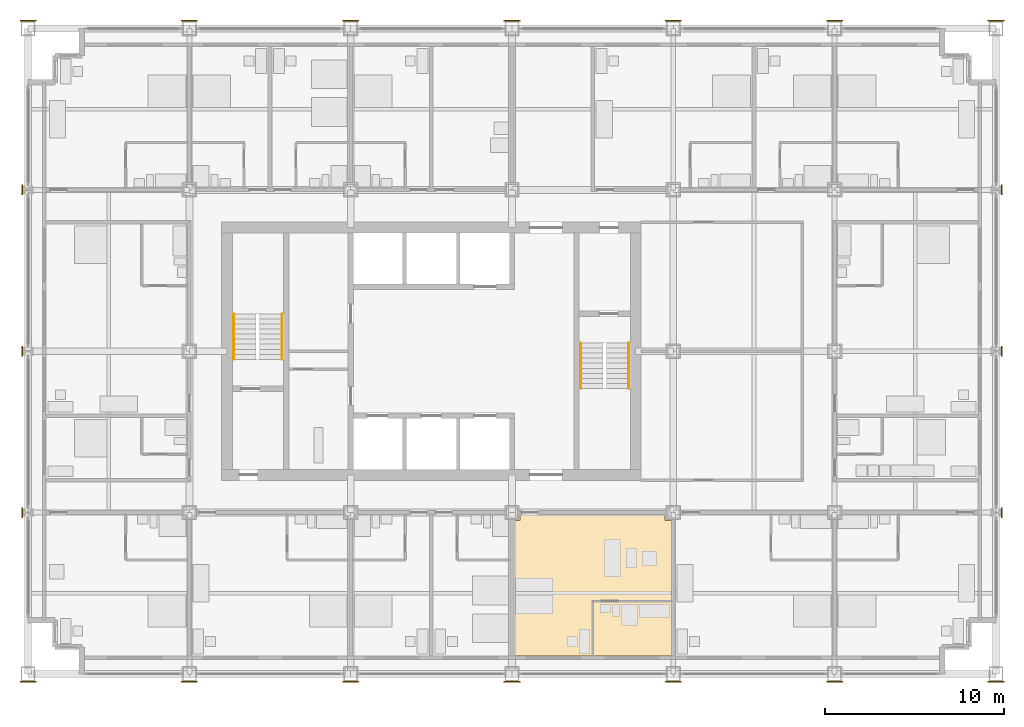
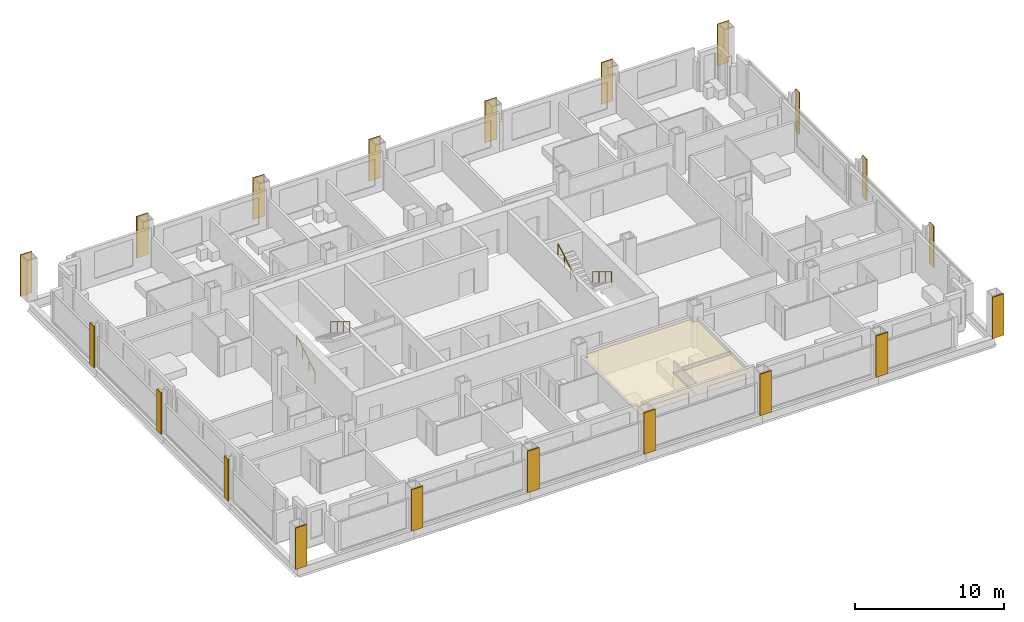
# One storey, part 16 of 18: 22 coverings, 4 railings.
"""IFC4 building model written with IfcOpenShell, lengths in metres."""

from ifc_helpers import new_model, si_unit, direction, frame, origin, origin_2d, place, context, subcontext, project, spatial, polyline, rectangle, circle, outline, extrude, material, layer, layer_set, type_object, element, save


model = new_model("IFC4")

# Units and contexts
model_context = context("Model", 3, precision=1e-05, world=origin(), true_north=direction((0.0, 1.0)))
body_context = subcontext(model_context, "Body", "Model", "MODEL_VIEW")
ifc_project = project(units=[si_unit("LENGTHUNIT", "METRE"), si_unit("AREAUNIT", "SQUARE_METRE"), si_unit("VOLUMEUNIT", "CUBIC_METRE"), si_unit("PLANEANGLEUNIT", "RADIAN"), si_unit("MASSUNIT", "GRAM", prefix="KILO")], contexts=[model_context])

# Site, building, storey
site_placement = place(None, origin())
site = spatial("IfcSite", under=ifc_project, at=site_placement, CompositionType="ELEMENT")
building_placement = place(site_placement, origin())
building = spatial("IfcBuilding", under=site, at=building_placement, Name="Loomwork Tower", CompositionType="ELEMENT")
storey_placement = place(building_placement, frame((0.0, 0.0, 68.800048828125)))
storey = spatial("IfcBuildingStorey", under=building, at=storey_placement, Name="L17", CompositionType="ELEMENT", Elevation=68.800048828125)

# Railings
ifc_material_1 = material(Name="Stainless steel handrail", Category="steel")
railing_type = type_object("IfcRailingType", Name="Handrail 900", PredefinedType="HANDRAIL", material=ifc_material_1)
railing_1_placement = place(storey_placement, frame((11.485107421875, 17.550048828125, 0.169921875)))
element("IfcRailing", 1, at=railing_1_placement, inside=storey, type_object=railing_type, Name="Stair A handrail flight 1 L17", PredefinedType="HANDRAIL", context=body_context, shape_type="SweptSolid", body=[
    extrude(circle(Radius=0.02392578125, at=origin_2d()), frame((0.0, 0.0, 0.8759765625), z_axis=(0.0, 0.85478489116, 0.518982456201), x_axis=(-1.0, 0.0, 0.0)), (0.0, 0.0, 1.0), 2.9482421875),
    extrude(circle(Radius=0.02099609375, at=origin_2d()), origin(), (0.0, 0.0, 1.0), 0.851806640625),
    extrude(circle(Radius=0.02099609375, at=origin_2d()), frame((0.0, 0.840087890625, 0.510009765625)), (0.0, 0.0, 1.0), 0.851806640625),
    extrude(circle(Radius=0.02099609375, at=origin_2d()), frame((0.0, 1.679931640625, 1.02001953125)), (0.0, 0.0, 1.0), 0.851806640625),
    extrude(circle(Radius=0.02099609375, at=origin_2d()), frame((0.0, 2.52001953125, 1.530029296875)), (0.0, 0.0, 1.0), 0.851806640625),
])
for number, where, name in (
    (2, (14.1650390625, 20.070068359375, 1.869873046875), "Stair A handrail flight 2 L17"),
    (3, (33.514892578125, 18.449951171875, 0.169921875), "Stair B handrail flight 1 L17"),
):
    element("IfcRailing", number, at=place(storey_placement, frame(where)), inside=storey, type_object=railing_type, Name=name, PredefinedType="HANDRAIL", context=body_context, shape_type="SweptSolid", body=[
        extrude(circle(Radius=0.02392578125, at=origin_2d()), frame((0.0, 0.0, 0.8759765625), z_axis=(0.0, -0.85478489116, 0.518982456201), x_axis=(1.0, 0.0, 0.0)), (0.0, 0.0, 1.0), 2.9482421875),
        extrude(circle(Radius=0.02099609375, at=origin_2d()), origin(), (0.0, 0.0, 1.0), 0.851806640625),
        extrude(circle(Radius=0.02099609375, at=origin_2d()), frame((0.0, -0.840087890625, 0.510009765625)), (0.0, 0.0, 1.0), 0.851806640625),
        extrude(circle(Radius=0.02099609375, at=origin_2d()), frame((0.0, -1.679931640625, 1.02001953125)), (0.0, 0.0, 1.0), 0.851806640625),
        extrude(circle(Radius=0.02099609375, at=origin_2d()), frame((0.0, -2.52001953125, 1.530029296875)), (0.0, 0.0, 1.0), 0.851806640625),
    ])
railing_2_placement = place(storey_placement, frame((30.8349609375, 15.929931640625, 1.869873046875)))
element("IfcRailing", 4, at=railing_2_placement, inside=storey, type_object=railing_type, Name="Stair B handrail flight 2 L17", PredefinedType="HANDRAIL", context=body_context, shape_type="SweptSolid", body=[
    extrude(circle(Radius=0.02392578125, at=origin_2d()), frame((0.0, 0.0, 0.8759765625), z_axis=(0.0, 0.85478489116, 0.518982456201), x_axis=(-1.0, 0.0, 0.0)), (0.0, 0.0, 1.0), 2.9482421875),
    extrude(circle(Radius=0.02099609375, at=origin_2d()), origin(), (0.0, 0.0, 1.0), 0.851806640625),
    extrude(circle(Radius=0.02099609375, at=origin_2d()), frame((0.0, 0.840087890625, 0.510009765625)), (0.0, 0.0, 1.0), 0.851806640625),
    extrude(circle(Radius=0.02099609375, at=origin_2d()), frame((0.0, 1.679931640625, 1.02001953125)), (0.0, 0.0, 1.0), 0.851806640625),
    extrude(circle(Radius=0.02099609375, at=origin_2d()), frame((0.0, 2.52001953125, 1.530029296875)), (0.0, 0.0, 1.0), 0.851806640625),
])

# Coverings
ifc_material_2 = material(Name="Limestone", Category="masonry")
ifc_layer_1 = layer(ifc_material_2, 0.080078125)
ifc_layer_set_1 = layer_set([ifc_layer_1], Name="Limestone pier facing 80")
covering_type_1 = type_object("IfcCoveringType", Name="Limestone pier facing 80", PredefinedType="CLADDING", material=ifc_layer_set_1)
covering_1_placement = place(storey_placement, frame((0.0, -0.43994140625, 0.0), z_axis=(0.0, 0.0, 1.0), x_axis=(1.0, 0.0, 0.0)))
element("IfcCovering", 5, at=covering_1_placement, inside=storey, type_object=covering_type_1, Name="Pier facing D/2 L17", PredefinedType="CLADDING", context=body_context, shape_type="SweptSolid", body=[
    extrude(rectangle(XDim=0.89990234375, YDim=0.080078125, at=origin_2d()), origin(), (0.0, 0.0, 1.0), 3.39990234375),
])
for number, where, z_axis, x_axis, name in (
    (6, (-0.324462890625, 9.0, 0.0), (0.0, 0.0, 1.0), (1.0, 0.0, 0.0), "Pier facing E/2 L17"),
    (7, (-0.324462890625, 18.0, 0.0), (0.0, 0.0, 1.0), (1.0, 0.0, 0.0), "Pier facing F/2 L17"),
    (8, (-0.324462890625, 27.0, 0.0), (0.0, 0.0, 1.0), (1.0, 0.0, 0.0), "Pier facing G/2 L17"),
):
    element("IfcCovering", number, at=place(storey_placement, frame(where, z_axis=z_axis, x_axis=x_axis)), inside=storey, type_object=covering_type_1, Name=name, PredefinedType="CLADDING", context=body_context, shape_type="SweptSolid", body=[
        extrude(rectangle(XDim=0.080078125, YDim=0.5546875, at=origin_2d()), origin(), (0.0, 0.0, 1.0), 3.39990234375),
    ])
for number, where, z_axis, x_axis, name in (
    (9, (0.0, 36.43994140625, 0.0), (0.0, 0.0, 1.0), (1.0, 0.0, 0.0), "Pier facing H/2 L17"),
    (10, (9.0, -0.43994140625, 0.0), (0.0, 0.0, 1.0), (1.0, 0.0, 0.0), "Pier facing D/3 L17"),
    (11, (9.0, 36.43994140625, 0.0), (0.0, 0.0, 1.0), (1.0, 0.0, 0.0), "Pier facing H/3 L17"),
    (12, (18.0, -0.43994140625, 0.0), (0.0, 0.0, 1.0), (1.0, 0.0, 0.0), "Pier facing D/4 L17"),
    (13, (18.0, 36.43994140625, 0.0), (0.0, 0.0, 1.0), (1.0, 0.0, 0.0), "Pier facing H/4 L17"),
    (14, (27.0, -0.43994140625, 0.0), (0.0, 0.0, 1.0), (1.0, 0.0, 0.0), "Pier facing D/5 L17"),
    (15, (27.0, 36.43994140625, 0.0), (0.0, 0.0, 1.0), (1.0, 0.0, 0.0), "Pier facing H/5 L17"),
    (16, (36.0, -0.43994140625, 0.0), (0.0, 0.0, 1.0), (1.0, 0.0, 0.0), "Pier facing D/6 L17"),
    (17, (36.0, 36.43994140625, 0.0), (0.0, 0.0, 1.0), (1.0, 0.0, 0.0), "Pier facing H/6 L17"),
    (18, (45.0, -0.43994140625, 0.0), (0.0, 0.0, 1.0), (1.0, 0.0, 0.0), "Pier facing D/7 L17"),
    (19, (45.0, 36.43994140625, 0.0), (0.0, 0.0, 1.0), (1.0, 0.0, 0.0), "Pier facing H/7 L17"),
    (20, (54.0, -0.43994140625, 0.0), (0.0, 0.0, 1.0), (1.0, 0.0, 0.0), "Pier facing D/8 L17"),
):
    element("IfcCovering", number, at=place(storey_placement, frame(where, z_axis=z_axis, x_axis=x_axis)), inside=storey, type_object=covering_type_1, Name=name, PredefinedType="CLADDING", context=body_context, shape_type="SweptSolid", body=[
        extrude(rectangle(XDim=0.89990234375, YDim=0.080078125, at=origin_2d()), origin(), (0.0, 0.0, 1.0), 3.39990234375),
    ])
for number, where, z_axis, x_axis, name in (
    (21, (54.324462890625, 9.0, 0.0), (0.0, 0.0, 1.0), (1.0, 0.0, 0.0), "Pier facing E/8 L17"),
    (22, (54.324462890625, 18.0, 0.0), (0.0, 0.0, 1.0), (1.0, 0.0, 0.0), "Pier facing F/8 L17"),
    (23, (54.324462890625, 27.0, 0.0), (0.0, 0.0, 1.0), (1.0, 0.0, 0.0), "Pier facing G/8 L17"),
):
    element("IfcCovering", number, at=place(storey_placement, frame(where, z_axis=z_axis, x_axis=x_axis)), inside=storey, type_object=covering_type_1, Name=name, PredefinedType="CLADDING", context=body_context, shape_type="SweptSolid", body=[
        extrude(rectangle(XDim=0.080078125, YDim=0.5546875, at=origin_2d()), origin(), (0.0, 0.0, 1.0), 3.39990234375),
    ])
covering_2_placement = place(storey_placement, frame((54.0, 36.43994140625, 0.0), z_axis=(0.0, 0.0, 1.0), x_axis=(1.0, 0.0, 0.0)))
element("IfcCovering", 24, at=covering_2_placement, inside=storey, type_object=covering_type_1, Name="Pier facing H/8 L17", PredefinedType="CLADDING", context=body_context, shape_type="SweptSolid", body=[
    extrude(rectangle(XDim=0.89990234375, YDim=0.080078125, at=origin_2d()), origin(), (0.0, 0.0, 1.0), 3.39990234375),
])
ifc_material_3 = material(Name="Mineral fibre acoustic tile on suspension grid")
ifc_layer_2 = layer(ifc_material_3, 0.02490234375)
ifc_layer_set_2 = layer_set([ifc_layer_2], Name="Suspended acoustic ceiling")
covering_type_2 = type_object("IfcCoveringType", Name="Suspended acoustic ceiling", PredefinedType="CEILING", material=ifc_layer_set_2)
covering_3_placement = place(storey_placement, frame((0.0, 0.0, 2.175048828125)))
element("IfcCovering", 25, at=covering_3_placement, inside=storey, type_object=covering_type_2, Name="Ceiling Spa bathroom L17", PredefinedType="CEILING", context=body_context, shape_type="SweptSolid", body=[
    extrude(outline(polyline([(35.89990234375, 4.0), (35.89990234375, 1.0), (31.550048828125, 1.0), (31.550048828125, 4.0), (35.89990234375, 4.0)])), origin(), (0.0, 0.0, 1.0), 0.02490234375),
])
covering_4_placement = place(storey_placement, frame((0.0, 0.0, 2.175048828125)))
element("IfcCovering", 26, at=covering_4_placement, inside=storey, type_object=covering_type_2, Name="Ceiling Spa suite L17", PredefinedType="CEILING", context=body_context, shape_type="SweptSolid", body=[
    extrude(outline(polyline([(35.550048828125, 8.89990234375), (35.550048828125, 8.550048828125), (35.89990234375, 8.550048828125), (35.89990234375, 4.10009765625), (31.449951171875, 4.10009765625), (31.449951171875, 1.0), (27.10009765625, 1.0), (27.10009765625, 8.550048828125), (27.449951171875, 8.550048828125), (27.449951171875, 8.89990234375), (35.550048828125, 8.89990234375)])), origin(), (0.0, 0.0, 1.0), 0.02490234375),
])

save(model, "model.ifc")
